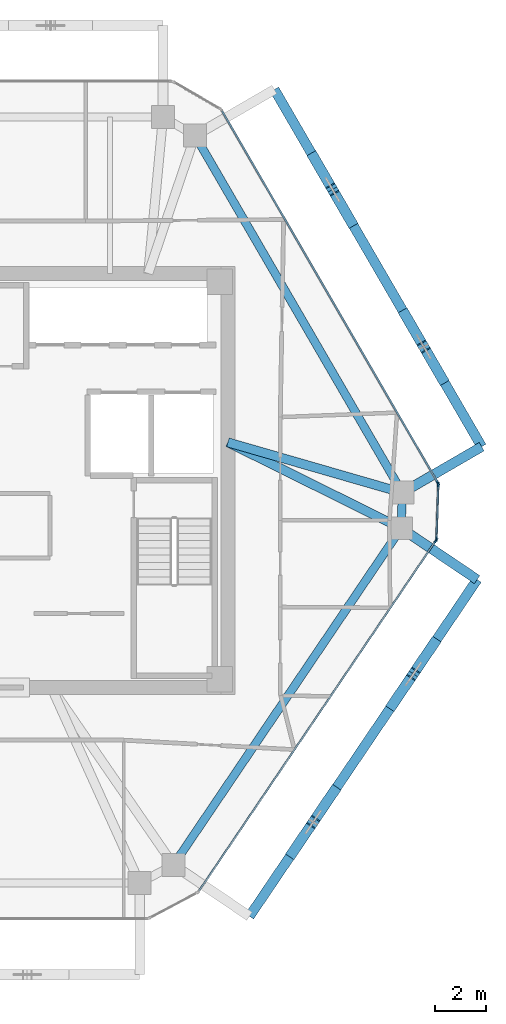
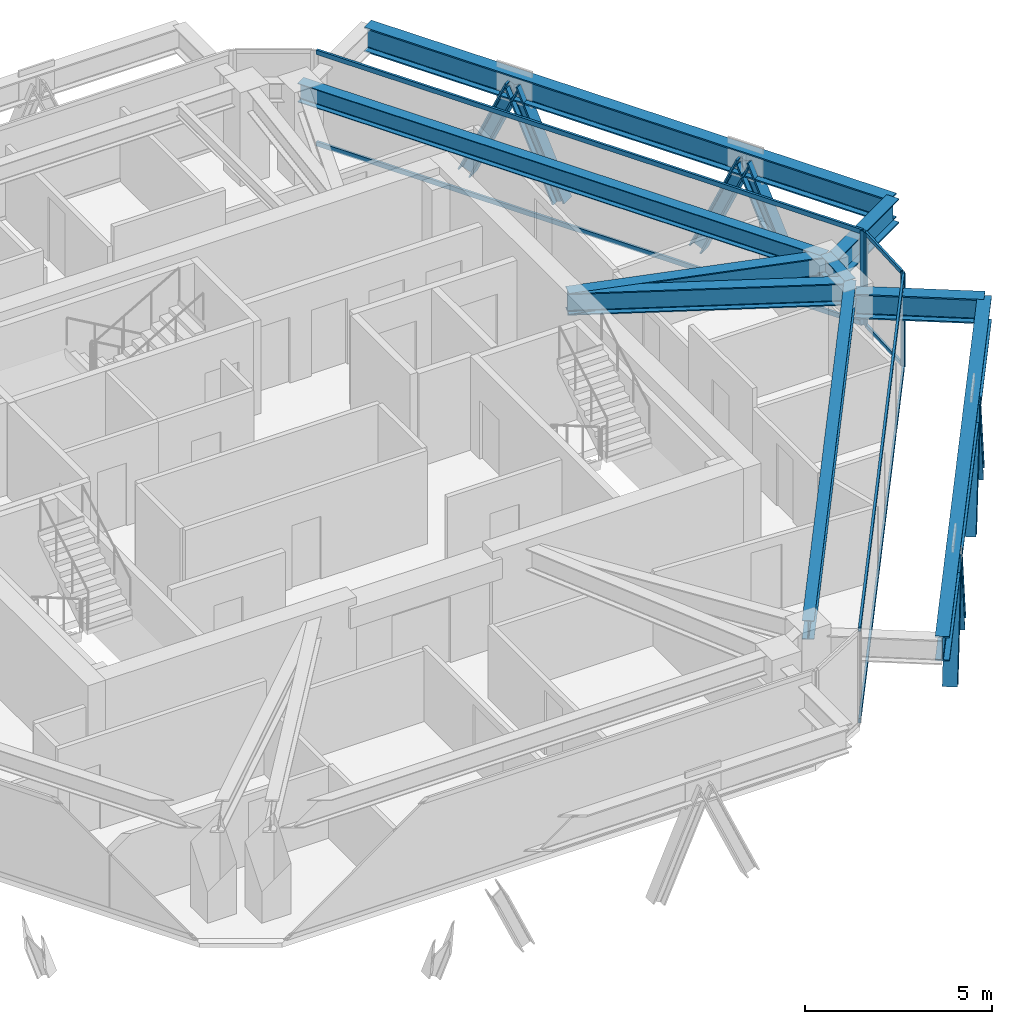
# One storey, part 5 of 13: 18 members, 9 beams, 3 elements without a shape of their own.
"""IFC4 building model written with IfcOpenShell, lengths in metres."""

from ifc_helpers import new_model, si_unit, direction, frame, origin, origin_2d, place, context, subcontext, project, spatial, rectangle, i_section, extrude, source, transform, mapped, material, layer, layer_set, material_profile, profile_set, type_object, type_shapes, element, aggregate, save


model = new_model("IFC4")

# Units and contexts
model_context = context("Model", 3, precision=1e-05, world=origin(), true_north=direction((0.0, 1.0)))
body_context = subcontext(model_context, "Body", "Model", "MODEL_VIEW")
ifc_project = project(units=[si_unit("LENGTHUNIT", "METRE"), si_unit("AREAUNIT", "SQUARE_METRE"), si_unit("VOLUMEUNIT", "CUBIC_METRE"), si_unit("PLANEANGLEUNIT", "RADIAN"), si_unit("MASSUNIT", "GRAM", prefix="KILO")], contexts=[model_context])

# Site, building, storey
site_placement = place(None, origin())
site = spatial("IfcSite", under=ifc_project, at=site_placement, CompositionType="ELEMENT")
building_placement = place(site_placement, origin())
building = spatial("IfcBuilding", under=site, at=building_placement, Name="Durnholm Broadcast Tower", CompositionType="ELEMENT")
storey_placement = place(building_placement, frame((0.0, 0.0, 241.39990234375)))
storey = spatial("IfcBuildingStorey", under=building, at=storey_placement, Name="L67", CompositionType="ELEMENT", Elevation=241.39990234375)

# Beams
ifc_material_1 = material(Name="Steel ASTM A992 Grade 50", Category="steel")
ifc_material_profile_1 = material_profile(ifc_material_1, i_section(OverallWidth=0.385009765625, OverallDepth=0.802978515625, WebThickness=0.023681640625, FlangeThickness=0.0419921875, FilletRadius=0.032958984375, at=origin_2d()), Name="W30X261")
ifc_profile_set_1 = profile_set([ifc_material_profile_1], Name="Steel ASTM A992 Grade 50")
beam_type_1 = type_object("IfcBeamType", Name="BM-EXO-TIE", PredefinedType="USERDEFINED", material=ifc_profile_set_1)
shared_shape_1 = source(origin(), body_context, "Body", "SweptSolid", [
    extrude(i_section(OverallWidth=0.385009765625, OverallDepth=0.802978515625, WebThickness=0.023681640625, FlangeThickness=0.0419921875, FilletRadius=0.032958984375, at=origin_2d()), origin(), (0.0, 0.0, 1.0), 3.4560546875),
])
beam_1_placement = place(storey_placement, frame((17.0947265625, -0.40380859375, 2.30859375), z_axis=(0.864924479231, 0.501902027518, 0.0), x_axis=(-0.501902027518, 0.864924479231, 0.0)))
element("IfcBeam", 1, at=beam_1_placement, inside=storey, type_object=beam_type_1, Name="L67 exoskeleton stand-off tie bracket F3.1", ObjectType="GIRDER", PredefinedType="USERDEFINED", context=body_context, shape_type="MappedRepresentation", body=[
    mapped(shared_shape_1, transform((0.0, 0.0, 0.0), x_axis=(1.0, 0.0, 0.0), y_axis=(0.0, 1.0, 0.0), z_axis=(0.0, 0.0, 1.0), scale=1.0)),
])
shared_shape_2 = source(origin(), body_context, "Body", "SweptSolid", [
    extrude(i_section(OverallWidth=0.385009765625, OverallDepth=0.802978515625, WebThickness=0.023681640625, FlangeThickness=0.0419921875, FilletRadius=0.032958984375, at=origin_2d()), origin(), (0.0, 0.0, 1.0), 3.455810546875),
])
beam_2_placement = place(storey_placement, frame((17.041748046875, -1.95068359375, 2.30859375), z_axis=(0.828446342252, -0.560068440469, 0.0), x_axis=(0.560068440469, 0.828446342252, 0.0)))
element("IfcBeam", 2, at=beam_2_placement, inside=storey, type_object=beam_type_1, Name="L67 exoskeleton stand-off tie bracket F2.2", ObjectType="GIRDER", PredefinedType="USERDEFINED", context=body_context, shape_type="MappedRepresentation", body=[
    mapped(shared_shape_2, transform((0.0, 0.0, 0.0), x_axis=(1.0, 0.0, 0.0), y_axis=(0.0, 1.0, 0.0), z_axis=(0.0, 0.0, 1.0), scale=1.0)),
])
ifc_material_profile_2 = material_profile(ifc_material_1, i_section(OverallWidth=0.3251953125, OverallDepth=0.6162109375, WebThickness=0.013916015625, FlangeThickness=0.021484375, FilletRadius=0.02783203125, at=origin_2d()), Name="W24X117")
ifc_profile_set_2 = profile_set([ifc_material_profile_2], Name="Steel ASTM A992 Grade 50")
beam_type_2 = type_object("IfcBeamType", Name="STL-SP-W24X117", PredefinedType="SPANDREL", material=ifc_profile_set_2)
shared_shape_3 = source(origin(), body_context, "Body", "SweptSolid", [
    extrude(i_section(OverallWidth=0.3251953125, OverallDepth=0.6162109375, WebThickness=0.013916015625, FlangeThickness=0.021484375, FilletRadius=0.02783203125, at=origin_2d()), origin(), (0.0, 0.0, 1.0), 1.39453125),
])
beam_3_placement = place(storey_placement, frame((16.97021484375, -0.47607421875, 2.737060546875), z_axis=(-0.034311541846, -0.999411185697, 0.0), x_axis=(0.999411185697, -0.034311541846, 0.0)))
element("IfcBeam", 3, at=beam_3_placement, inside=storey, type_object=beam_type_2, Name="L67 perimeter spandrel girder 08", PredefinedType="SPANDREL", context=body_context, shape_type="MappedRepresentation", body=[
    mapped(shared_shape_3, transform((0.0, 0.0, 0.0), x_axis=(1.0, 0.0, 0.0), y_axis=(0.0, 1.0, 0.0), z_axis=(0.0, 0.0, 1.0), scale=1.0)),
])
shared_shape_4 = source(origin(), body_context, "Body", "SweptSolid", [
    extrude(i_section(OverallWidth=0.3251953125, OverallDepth=0.6162109375, WebThickness=0.013916015625, FlangeThickness=0.021484375, FilletRadius=0.02783203125, at=origin_2d()), origin(), (0.0, 0.0, 1.0), 15.947265625),
])
beam_4_placement = place(storey_placement, frame((16.92236328125, -1.869873046875, 2.737060546875), z_axis=(-0.560062212489, -0.828450552623, 0.0), x_axis=(0.828450552623, -0.560062212489, 0.0)))
element("IfcBeam", 4, at=beam_4_placement, inside=storey, type_object=beam_type_2, Name="L67 perimeter spandrel girder 09", PredefinedType="SPANDREL", context=body_context, shape_type="MappedRepresentation", body=[
    mapped(shared_shape_4, transform((0.0, 0.0, 0.0), x_axis=(1.0, 0.0, 0.0), y_axis=(0.0, 1.0, 0.0), z_axis=(0.0, 0.0, 1.0), scale=1.0)),
])
shared_shape_5 = source(origin(), body_context, "Body", "SweptSolid", [
    extrude(i_section(OverallWidth=0.3251953125, OverallDepth=0.6162109375, WebThickness=0.013916015625, FlangeThickness=0.021484375, FilletRadius=0.02783203125, at=origin_2d()), origin(), (0.0, 0.0, 1.0), 16.20263671875),
])
type_shapes(beam_type_2, [shared_shape_3, shared_shape_4, shared_shape_5])
beam_5_placement = place(storey_placement, frame((8.83740234375, 13.53759765625, 2.737060546875), z_axis=(0.501943573333, -0.864900369516, 0.0), x_axis=(0.864900369516, 0.501943573333, 0.0)))
element("IfcBeam", 5, at=beam_5_placement, inside=storey, type_object=beam_type_2, Name="L67 perimeter spandrel girder 07", PredefinedType="SPANDREL", context=body_context, shape_type="MappedRepresentation", body=[
    mapped(shared_shape_5, transform((0.0, 0.0, 0.0), x_axis=(1.0, 0.0, 0.0), y_axis=(0.0, 1.0, 0.0), z_axis=(0.0, 0.0, 1.0), scale=1.0)),
])
shared_shape_6 = source(origin(), body_context, "Body", "SweptSolid", [
    extrude(i_section(OverallWidth=0.385009765625, OverallDepth=0.802978515625, WebThickness=0.023681640625, FlangeThickness=0.0419921875, FilletRadius=0.032958984375, at=origin_2d()), origin(), (0.0, 0.0, 1.0), 15.947021484375),
])
beam_6_placement = place(storey_placement, frame((10.973388671875, -17.097412109375, 2.30859375), z_axis=(0.560069315853, 0.828445750451, 0.0), x_axis=(-0.828445750451, 0.560069315853, 0.0)))
element("IfcBeam", 6, at=beam_6_placement, inside=storey, type_object=beam_type_1, Name="L67 exoskeleton collector spandrel F2", PredefinedType="SPANDREL", context=body_context, shape_type="MappedRepresentation", body=[
    mapped(shared_shape_6, transform((0.0, 0.0, 0.0), x_axis=(1.0, 0.0, 0.0), y_axis=(0.0, 1.0, 0.0), z_axis=(0.0, 0.0, 1.0), scale=1.0)),
])
shared_shape_7 = source(origin(), body_context, "Body", "SweptSolid", [
    extrude(i_section(OverallWidth=0.385009765625, OverallDepth=0.802978515625, WebThickness=0.023681640625, FlangeThickness=0.0419921875, FilletRadius=0.032958984375, at=origin_2d()), origin(), (0.0, 0.0, 1.0), 16.202880859375),
])
type_shapes(beam_type_1, [shared_shape_1, shared_shape_2, shared_shape_6, shared_shape_7])
beam_7_placement = place(storey_placement, frame((20.083984375, 1.330810546875, 2.30859375), z_axis=(-0.501948303381, 0.864897624423, 0.0), x_axis=(-0.864897624423, -0.501948303381, 0.0)))
element("IfcBeam", 7, at=beam_7_placement, inside=storey, type_object=beam_type_1, Name="L67 exoskeleton collector spandrel F3", PredefinedType="SPANDREL", context=body_context, shape_type="MappedRepresentation", body=[
    mapped(shared_shape_7, transform((0.0, 0.0, 0.0), x_axis=(1.0, 0.0, 0.0), y_axis=(0.0, 1.0, 0.0), z_axis=(0.0, 0.0, 1.0), scale=1.0)),
])
ifc_material_profile_3 = material_profile(ifc_material_1, i_section(OverallWidth=0.3564453125, OverallDepth=0.713623046875, WebThickness=0.01904296875, FlangeThickness=0.033935546875, FilletRadius=0.030517578125, at=origin_2d()), Name="W27X194")
ifc_profile_set_3 = profile_set([ifc_material_profile_3], Name="Steel ASTM A992 Grade 50")
beam_type_3 = type_object("IfcBeamType", Name="STL-GR-W27X194", PredefinedType="USERDEFINED", material=ifc_profile_set_3)
shared_shape_8 = source(origin(), body_context, "Body", "SweptSolid", [
    extrude(i_section(OverallWidth=0.3564453125, OverallDepth=0.713623046875, WebThickness=0.01904296875, FlangeThickness=0.033935546875, FilletRadius=0.030517578125, at=origin_2d()), origin(), (0.0, 0.0, 1.0), 7.124755859375),
])
beam_8_placement = place(storey_placement, frame((10.125, 1.5, 2.688232421875), z_axis=(0.960767767054, -0.277354101809, 0.0), x_axis=(0.277354101809, 0.960767767054, 0.0)))
element("IfcBeam", 8, at=beam_8_placement, inside=storey, type_object=beam_type_3, Name="L67 radial primary floor girder 08", ObjectType="GIRDER", PredefinedType="USERDEFINED", context=body_context, shape_type="MappedRepresentation", body=[
    mapped(shared_shape_8, transform((0.0, 0.0, 0.0), x_axis=(1.0, 0.0, 0.0), y_axis=(0.0, 1.0, 0.0), z_axis=(0.0, 0.0, 1.0), scale=1.0)),
])
shared_shape_9 = source(origin(), body_context, "Body", "SweptSolid", [
    extrude(i_section(OverallWidth=0.3564453125, OverallDepth=0.713623046875, WebThickness=0.01904296875, FlangeThickness=0.033935546875, FilletRadius=0.030517578125, at=origin_2d()), origin(), (0.0, 0.0, 1.0), 7.5869140625),
])
type_shapes(beam_type_3, [shared_shape_8, shared_shape_9])
beam_9_placement = place(storey_placement, frame((10.125, 1.5, 2.688232421875), z_axis=(0.895940903598, -0.444173273916, 0.0), x_axis=(0.444173273916, 0.895940903598, 0.0)))
element("IfcBeam", 9, at=beam_9_placement, inside=storey, type_object=beam_type_3, Name="L67 radial primary floor girder 09", ObjectType="GIRDER", PredefinedType="USERDEFINED", context=body_context, shape_type="MappedRepresentation", body=[
    mapped(shared_shape_9, transform((0.0, 0.0, 0.0), x_axis=(1.0, 0.0, 0.0), y_axis=(0.0, 1.0, 0.0), z_axis=(0.0, 0.0, 1.0), scale=1.0)),
])

# Members
ifc_material_2 = material(Name="Steel ASTM A913 Grade 65", Category="steel")
ifc_material_profile_4 = material_profile(ifc_material_2, i_section(OverallWidth=0.40625, OverallDepth=0.416015625, WebThickness=0.02978515625, FlangeThickness=0.048095703125, FilletRadius=0.030517578125, at=origin_2d()), Name="W14X257")
ifc_profile_set_4 = profile_set([ifc_material_profile_4], Name="Steel ASTM A913 Grade 65")
member_type_1 = type_object("IfcMemberType", Name="STL-DG-W14X257", PredefinedType="BRACE", material=ifc_profile_set_4)
shared_shape_10 = source(origin(), body_context, "Body", "SweptSolid", [
    extrude(i_section(OverallWidth=0.40625, OverallDepth=0.416015625, WebThickness=0.02978515625, FlangeThickness=0.048095703125, FilletRadius=0.030517578125, at=origin_2d()), origin(), (0.0, 0.0, 1.0), 3.60791015625),
])
type_shapes(member_type_1, [shared_shape_10])
for number, where, z_axis, x_axis, name in (
    (10, (12.657470703125, -14.6064453125, -0.991455078125), (0.226349134478, 0.334888450383, 0.914667040579), (-0.828505003222, 0.559981660089, 0.0), "L67 stand-off diagrid brace F2.D1.1"),
    (11, (14.290771484375, -12.190185546875, -0.991455078125), (-0.226354263477, -0.334828369412, 0.914687766641), (0.828452496411, -0.560059337206, 0.0), "L67 stand-off diagrid brace F2.D1.2"),
    (12, (16.58740234375, -8.79345703125, -0.991455078125), (0.226349134478, 0.334888450383, 0.914667040579), (-0.828505003222, 0.559981660089, 0.0), "L67 stand-off diagrid brace F2.D2.1"),
    (13, (18.220703125, -6.377197265625, -0.991455078125), (-0.226354263477, -0.334828369412, 0.914687766641), (0.828452496411, -0.560059337206, 0.0), "L67 stand-off diagrid brace F2.D2.2"),
    (14, (18.53857421875, 3.99365234375, -0.991455078125), (-0.202871189729, 0.349577240207, 0.914679743685), (-0.864906184135, -0.501933554014, 0.0), "L67 stand-off diagrid brace F3.D1.1"),
    (15, (17.07470703125, 6.51611328125, -0.991455078125), (0.202871189729, -0.349577240207, 0.914679743685), (0.864906184135, 0.501933554014, 0.0), "L67 stand-off diagrid brace F3.D1.2"),
    (16, (14.960205078125, 10.15966796875, -0.991455078125), (-0.202871189729, 0.349577240207, 0.914679743685), (-0.864906184135, -0.501933554014, 0.0), "L67 stand-off diagrid brace F3.D2.1"),
    (17, (13.496337890625, 12.681884765625, -0.991455078125), (0.202875988452, -0.349517838677, 0.914701379553), (0.864863994925, 0.502006245263, 0.0), "L67 stand-off diagrid brace F3.D2.2"),
):
    element("IfcMember", number, at=place(storey_placement, frame(where, z_axis=z_axis, x_axis=x_axis)), inside=storey, type_object=member_type_1, Name=name, PredefinedType="BRACE", context=body_context, shape_type="MappedRepresentation", body=[
        mapped(shared_shape_10, transform((0.0, 0.0, 0.0), x_axis=(1.0, 0.0, 0.0), y_axis=(0.0, 1.0, 0.0), z_axis=(0.0, 0.0, 1.0), scale=1.0)),
    ])

# Curtain wall, members
ifc_material_3 = material(Name="Aluminium and Solar Control IGU", Category="aluminium")
ifc_layer_1 = layer(ifc_material_3, 0.1650390625)
ifc_layer_set_1 = layer_set([ifc_layer_1], Name="Aluminium and Solar Control IGU")
curtain_wall_type_1 = type_object("IfcCurtainWallType", Name="CW-SYS-5", PredefinedType="NOTDEFINED", material=ifc_layer_set_1)
curtain_wall_1_placement = place(storey_placement, origin())
curtain_wall_1 = element("IfcCurtainWall", 18, at=curtain_wall_1_placement, inside=storey, type_object=curtain_wall_type_1, Name="L67 curtain wall CW-CORNER CW-L67-CRN-07", PredefinedType="NOTDEFINED")
ifc_material_4 = material(Name="Aluminium 6063-T6", Category="aluminium")
ifc_material_profile_5 = material_profile(ifc_material_4, rectangle(XDim=0.06494140625, YDim=0.1298828125, at=origin_2d()), Name="CWT65X130")
ifc_profile_set_5 = profile_set([ifc_material_profile_5], Name="Aluminium 6063-T6")
member_type_2 = type_object("IfcMemberType", Name="CW-SYS-5-TRN", PredefinedType="USERDEFINED", material=ifc_profile_set_5)
shared_shape_11 = source(origin(), body_context, "Body", "SweptSolid", [
    extrude(rectangle(XDim=0.06494140625, YDim=0.1298828125, at=origin_2d()), origin(), (0.0, 0.0, 1.0), 2.06982421875),
])
type_shapes(member_type_2, [shared_shape_11])
member_1_placement = place(storey_placement, frame((18.381103515625, -0.186767578125, 0.03271484375), z_axis=(-0.034324150719, -0.999410752733, 0.0), x_axis=(0.999410752733, -0.034324150719, 0.0)))
member_1 = element("IfcMember", 19, at=member_1_placement, type_object=member_type_2, Name="CW-CORNER transom 1.1", ObjectType="TRANSOM", PredefinedType="USERDEFINED", context=body_context, shape_type="MappedRepresentation", body=[
    mapped(shared_shape_11, transform((0.0, 0.0, 0.0), x_axis=(1.0, 0.0, 0.0), y_axis=(0.0, 1.0, 0.0), z_axis=(0.0, 0.0, 1.0), scale=1.0)),
])
member_2_placement = place(storey_placement, frame((18.381103515625, -0.186767578125, 3.027587890625), z_axis=(-0.034324150719, -0.999410752733, 0.0), x_axis=(0.999410752733, -0.034324150719, 0.0)))
member_2 = element("IfcMember", 20, at=member_2_placement, type_object=member_type_2, Name="CW-CORNER transom 1.2", ObjectType="TRANSOM", PredefinedType="USERDEFINED", context=body_context, shape_type="MappedRepresentation", body=[
    mapped(shared_shape_11, transform((0.0, 0.0, 0.0), x_axis=(1.0, 0.0, 0.0), y_axis=(0.0, 1.0, 0.0), z_axis=(0.0, 0.0, 1.0), scale=1.0)),
])
ifc_material_profile_6 = material_profile(ifc_material_4, rectangle(XDim=0.06494140625, YDim=0.1650390625, at=origin_2d()), Name="CWM65X165")
ifc_profile_set_6 = profile_set([ifc_material_profile_6], Name="Aluminium 6063-T6")
member_type_3 = type_object("IfcMemberType", Name="CW-SYS-5-MUL", PredefinedType="MULLION", material=ifc_profile_set_6)
shared_shape_12 = source(origin(), body_context, "Body", "SweptSolid", [
    extrude(rectangle(XDim=0.06494140625, YDim=0.1650390625, at=origin_2d()), origin(), (0.0, 0.0, 1.0), 3.06005859375),
])
type_shapes(member_type_3, [shared_shape_12])
member_3_placement = place(storey_placement, frame((18.382080078125, -0.154296875, 0.0), z_axis=(0.0, 0.0, 1.0), x_axis=(0.999410955514, -0.034318245849, 0.0)))
member_3 = element("IfcMember", 21, at=member_3_placement, type_object=member_type_3, Name="CW-CORNER mullion 1", PredefinedType="MULLION", context=body_context, shape_type="MappedRepresentation", body=[
    mapped(shared_shape_12, transform((0.0, 0.0, 0.0), x_axis=(1.0, 0.0, 0.0), y_axis=(0.0, 1.0, 0.0), z_axis=(0.0, 0.0, 1.0), scale=1.0)),
])
member_4_placement = place(storey_placement, frame((18.308837890625, -2.287841796875, 0.0), z_axis=(0.0, 0.0, 1.0), x_axis=(0.999410955514, -0.034318245849, 0.0)))
member_4 = element("IfcMember", 22, at=member_4_placement, type_object=member_type_3, Name="CW-CORNER mullion 2", PredefinedType="MULLION", context=body_context, shape_type="MappedRepresentation", body=[
    mapped(shared_shape_12, transform((0.0, 0.0, 0.0), x_axis=(1.0, 0.0, 0.0), y_axis=(0.0, 1.0, 0.0), z_axis=(0.0, 0.0, 1.0), scale=1.0)),
])
aggregate(curtain_wall_1, [member_3, member_4, member_1, member_2])

# Curtain wall, member
ifc_layer_2 = layer(ifc_material_3, 0.18994140625)
ifc_layer_set_2 = layer_set([ifc_layer_2], Name="Aluminium and Solar Control IGU")
curtain_wall_type_2 = type_object("IfcCurtainWallType", Name="CW-SYS-4", PredefinedType="NOTDEFINED", material=ifc_layer_set_2)
curtain_wall_2_placement = place(storey_placement, origin())
curtain_wall_2 = element("IfcCurtainWall", 23, at=curtain_wall_2_placement, inside=storey, type_object=curtain_wall_type_2, Name="L67 curtain wall CW-Z34-VIS CW-L67-F06", PredefinedType="NOTDEFINED")
ifc_material_profile_7 = material_profile(ifc_material_4, rectangle(XDim=0.070068359375, YDim=0.18994140625, at=origin_2d()), Name="CWM70X190")
ifc_profile_set_7 = profile_set([ifc_material_profile_7], Name="Aluminium 6063-T6")
member_type_4 = type_object("IfcMemberType", Name="CW-SYS-4-MUL", PredefinedType="MULLION", material=ifc_profile_set_7)
shared_shape_13 = source(origin(), body_context, "Body", "SweptSolid", [
    extrude(rectangle(XDim=0.070068359375, YDim=0.18994140625, at=origin_2d()), origin(), (0.0, 0.0, 1.0), 3.06005859375),
])
type_shapes(member_type_4, [shared_shape_13])
member_5_placement = place(storey_placement, frame((18.36572265625, -0.09130859375, 0.0), z_axis=(0.0, 0.0, 1.0), x_axis=(0.864899883824, 0.50194441023, 0.0)))
member_5 = element("IfcMember", 24, at=member_5_placement, type_object=member_type_4, Name="CW-Z34-VIS mullion 2", PredefinedType="MULLION", context=body_context, shape_type="MappedRepresentation", body=[
    mapped(shared_shape_13, transform((0.0, 0.0, 0.0), x_axis=(1.0, 0.0, 0.0), y_axis=(0.0, 1.0, 0.0), z_axis=(0.0, 0.0, 1.0), scale=1.0)),
])

# Curtain wall, members
curtain_wall_3_placement = place(storey_placement, origin())
curtain_wall_3 = element("IfcCurtainWall", 25, at=curtain_wall_3_placement, inside=storey, type_object=curtain_wall_type_2, Name="L67 curtain wall CW-Z34-VIS CW-L67-F08", PredefinedType="NOTDEFINED")
member_6_placement = place(storey_placement, frame((18.2880859375, -2.349365234375, 0.0), z_axis=(0.0, 0.0, 1.0), x_axis=(0.828443431662, -0.560072745753, 0.0)))
member_6 = element("IfcMember", 26, at=member_6_placement, type_object=member_type_4, Name="CW-Z34-VIS mullion 1", PredefinedType="MULLION", context=body_context, shape_type="MappedRepresentation", body=[
    mapped(shared_shape_13, transform((0.0, 0.0, 0.0), x_axis=(1.0, 0.0, 0.0), y_axis=(0.0, 1.0, 0.0), z_axis=(0.0, 0.0, 1.0), scale=1.0)),
])
ifc_material_profile_8 = material_profile(ifc_material_4, rectangle(XDim=0.070068359375, YDim=0.14990234375, at=origin_2d()), Name="CWT70X150")
ifc_profile_set_8 = profile_set([ifc_material_profile_8], Name="Aluminium 6063-T6")
member_type_5 = type_object("IfcMemberType", Name="CW-SYS-4-TRN", PredefinedType="USERDEFINED", material=ifc_profile_set_8)
shared_shape_14 = source(origin(), body_context, "Body", "SweptSolid", [
    extrude(rectangle(XDim=0.070068359375, YDim=0.14990234375, at=origin_2d()), origin(), (0.0, 0.0, 1.0), 16.55859375),
])
member_7_placement = place(storey_placement, frame((18.2685546875, -2.37841796875, 0.03515625), z_axis=(-0.560071338091, -0.828444383317, 0.0), x_axis=(0.828444383317, -0.560071338091, 0.0)))
member_7 = element("IfcMember", 27, at=member_7_placement, type_object=member_type_5, Name="CW-Z34-VIS transom 1.1", ObjectType="TRANSOM", PredefinedType="USERDEFINED", context=body_context, shape_type="MappedRepresentation", body=[
    mapped(shared_shape_14, transform((0.0, 0.0, 0.0), x_axis=(1.0, 0.0, 0.0), y_axis=(0.0, 1.0, 0.0), z_axis=(0.0, 0.0, 1.0), scale=1.0)),
])
member_8_placement = place(storey_placement, frame((18.2685546875, -2.37841796875, 3.025146484375), z_axis=(-0.560071338091, -0.828444383317, 0.0), x_axis=(0.828444383317, -0.560071338091, 0.0)))
member_8 = element("IfcMember", 28, at=member_8_placement, type_object=member_type_5, Name="CW-Z34-VIS transom 1.2", ObjectType="TRANSOM", PredefinedType="USERDEFINED", context=body_context, shape_type="MappedRepresentation", body=[
    mapped(shared_shape_14, transform((0.0, 0.0, 0.0), x_axis=(1.0, 0.0, 0.0), y_axis=(0.0, 1.0, 0.0), z_axis=(0.0, 0.0, 1.0), scale=1.0)),
])
aggregate(curtain_wall_3, [member_6, member_7, member_8])

# Member
shared_shape_15 = source(origin(), body_context, "Body", "SweptSolid", [
    extrude(rectangle(XDim=0.070068359375, YDim=0.14990234375, at=origin_2d()), origin(), (0.0, 0.0, 1.0), 16.83984375),
])
type_shapes(member_type_5, [shared_shape_14, shared_shape_15])
member_9_placement = place(storey_placement, frame((9.8955078125, 14.503662109375, 0.03515625), z_axis=(0.501945239029, -0.86489940283, 0.0), x_axis=(0.86489940283, 0.501945239029, 0.0)))
member_9 = element("IfcMember", 29, at=member_9_placement, type_object=member_type_5, Name="CW-Z34-VIS transom 1.1", ObjectType="TRANSOM", PredefinedType="USERDEFINED", context=body_context, shape_type="MappedRepresentation", body=[
    mapped(shared_shape_15, transform((0.0, 0.0, 0.0), x_axis=(1.0, 0.0, 0.0), y_axis=(0.0, 1.0, 0.0), z_axis=(0.0, 0.0, 1.0), scale=1.0)),
])

member_10_placement = place(storey_placement, frame((9.8955078125, 14.503662109375, 3.025146484375), z_axis=(0.501945239029, -0.86489940283, 0.0), x_axis=(0.86489940283, 0.501945239029, 0.0)))
member_10 = element("IfcMember", 30, at=member_10_placement, type_object=member_type_5, Name="CW-Z34-VIS transom 1.2", ObjectType="TRANSOM", PredefinedType="USERDEFINED", context=body_context, shape_type="MappedRepresentation", body=[
    mapped(shared_shape_15, transform((0.0, 0.0, 0.0), x_axis=(1.0, 0.0, 0.0), y_axis=(0.0, 1.0, 0.0), z_axis=(0.0, 0.0, 1.0), scale=1.0)),
])

aggregate(curtain_wall_2, [member_5, member_9, member_10])

save(model, "model.ifc")
